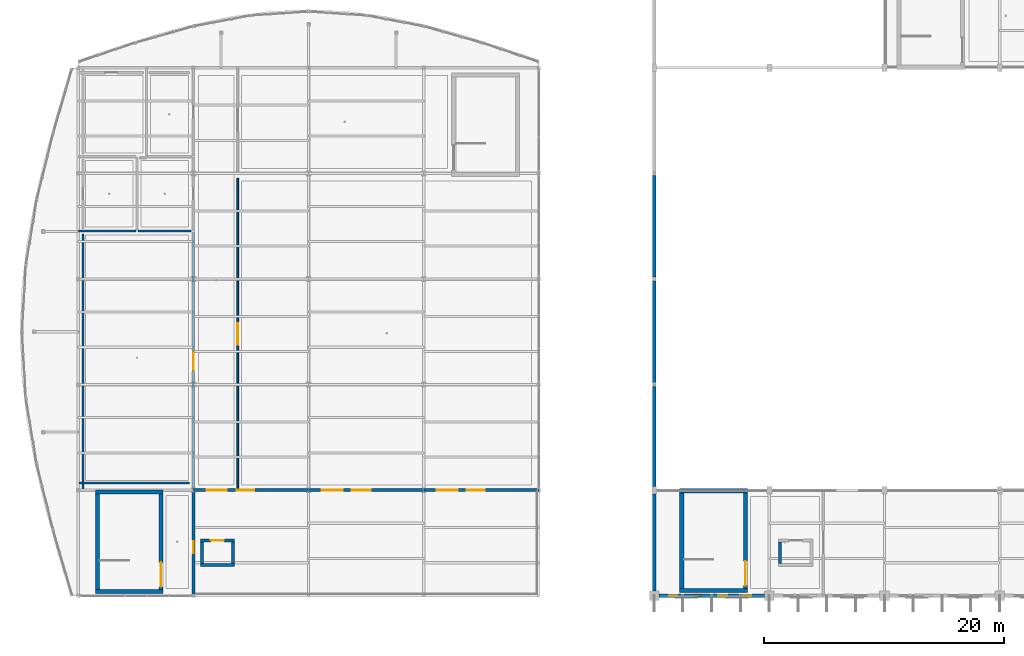
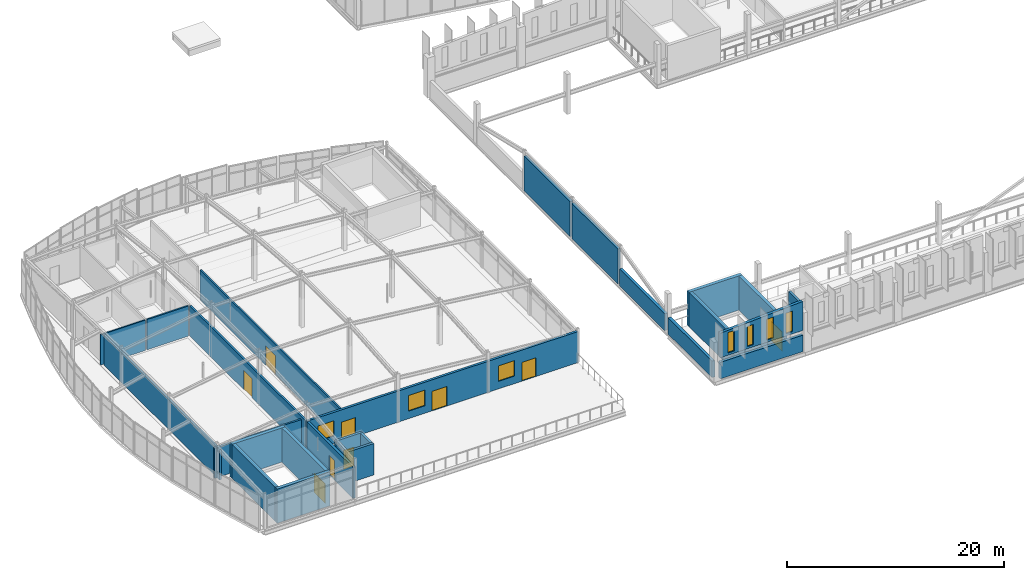
# One storey, part 90 of 114: 29 walls, 9 doors, 7 windows, 16 openings.
"""IFC4 building model written with IfcOpenShell, lengths in metres."""

from ifc_helpers import new_model, si_unit, direction, frame, frame_2d, origin, place, context, subcontext, project, spatial, polyline, rectangle, outline, extrude, material, layer, layer_set, type_object, element, fill, save


model = new_model("IFC4")

# Units and contexts
model_context = context("Model", 3, precision=1e-05, world=origin(), true_north=direction((0.0, 1.0)))
body_context = subcontext(model_context, "Body", "Model", "MODEL_VIEW")
ifc_project = project(units=[si_unit("LENGTHUNIT", "METRE"), si_unit("AREAUNIT", "SQUARE_METRE"), si_unit("VOLUMEUNIT", "CUBIC_METRE"), si_unit("PLANEANGLEUNIT", "RADIAN"), si_unit("MASSUNIT", "GRAM", prefix="KILO")], contexts=[model_context])

# Site, building, storey
site_placement = place(None, origin())
site = spatial("IfcSite", under=ifc_project, at=site_placement, CompositionType="ELEMENT")
building_placement = place(site_placement, origin())
building = spatial("IfcBuilding", under=site, at=building_placement, Name="Chalmorin Arch Market", CompositionType="ELEMENT")
storey_placement = place(building_placement, frame((0.0, 0.0, 9.60009765625)))
storey = spatial("IfcBuildingStorey", under=building, at=storey_placement, Name="L02", CompositionType="ELEMENT", Elevation=9.60009765625)

# Walls
ifc_material_1 = material(Name="Concrete C40/50", Category="concrete")
ifc_layer_1 = layer(ifc_material_1, 0.35009765625)
ifc_layer_set_1 = layer_set([ifc_layer_1], Name="Concrete C40/50")
wall_type_1 = type_object("IfcWallType", Name="CoreShearWall-350", PredefinedType="SHEAR", material=ifc_layer_set_1)
for number, where, z_axis, x_axis, name in (
    (1, (7.074951171875, 6.35009765625, 0.0), (0.0, 0.0, 1.0), (-1.0, 0.0, 0.0), "CSW-350-013"),
    (2, (1.425048828125, 14.64990234375, 0.0), (0.0, 0.0, 1.0), (1.0, 0.0, 0.0), "CSW-350-014"),
):
    element("IfcWall", number, at=place(storey_placement, frame(where, z_axis=z_axis, x_axis=x_axis)), inside=storey, type_object=wall_type_1, Name=name, PredefinedType="SHEAR", context=body_context, shape_type="SweptSolid", body=[
        extrude(rectangle(XDim=5.64990234375, YDim=0.35009765625, at=frame_2d((2.824951171875, 0.0))), origin(), (0.0, 0.0, 1.0), 3.849853515625),
    ])
wall_1_placement = place(storey_placement, frame((1.60009765625, 6.52490234375, 0.0), z_axis=(0.0, 0.0, 1.0), x_axis=(0.0, 1.0, 0.0)))
element("IfcWall", 3, at=wall_1_placement, inside=storey, type_object=wall_type_1, Name="CSW-350-015", PredefinedType="SHEAR", context=body_context, shape_type="SweptSolid", body=[
    extrude(rectangle(XDim=7.9501953125, YDim=0.35009765625, at=frame_2d((3.97509765625, 0.0))), origin(), (0.0, 0.0, 1.0), 3.849853515625),
])

# Wall, opening, door
wall_2_placement = place(storey_placement, frame((6.89990234375, 14.47509765625, 0.0), z_axis=(0.0, 0.0, 1.0), x_axis=(0.0, -1.0, 0.0)))
wall_2 = element("IfcWall", 4, at=wall_2_placement, inside=storey, type_object=wall_type_1, Name="CSW-350-016", PredefinedType="SHEAR", context=body_context, shape_type="SweptSolid", body=[
    extrude(rectangle(XDim=7.9501953125, YDim=0.35009765625, at=frame_2d((3.97509765625, 0.0))), origin(), (0.0, 0.0, 1.0), 3.849853515625),
])
opening_1_placement = place(wall_2_placement, frame((5.679931640625, 0.0, 0.0)))
opening_1 = element("IfcOpeningElement", 5, at=opening_1_placement, cuts=wall_2, Name="Opening FD-SC1-L02", PredefinedType="OPENING", context=body_context, shape_type="SweptSolid", body=[
    extrude(rectangle(XDim=2.050048828125, YDim=2.14990234375, at=frame_2d((1.02490234375, 1.074951171875))), frame((0.0, 0.18505859375, 0.0), z_axis=(0.0, -1.0, 0.0), x_axis=(1.0, 0.0, 0.0)), (0.0, 0.0, 1.0), 0.3701171875),
])
ifc_material_2 = material(Name="Galvanised Steel", Category="steel")
door_type_1 = type_object("IfcDoorType", Name="DoubleFireExitDoor-2050x2150", OperationType="DOUBLE_DOOR_SINGLE_SWING", PredefinedType="DOOR", material=ifc_material_2)
door_1_placement = place(opening_1_placement, origin())
door_1 = element("IfcDoor", 6, at=door_1_placement, inside=storey, type_object=door_type_1, Name="FD-SC1-L02", OperationType="DOUBLE_DOOR_SINGLE_SWING", OverallHeight=2.14990234375, OverallWidth=2.050048828125, PredefinedType="DOOR", context=body_context, shape_type="SweptSolid", body=[
    extrude(rectangle(XDim=2.050048828125, YDim=2.14990234375, at=frame_2d((1.02490234375, 1.074951171875))), frame((0.0, 0.02490234375, 0.0), z_axis=(0.0, -1.0, 0.0), x_axis=(1.0, 0.0, 0.0)), (0.0, 0.0, 1.0), 0.050048828125),
])
fill(opening_1, door_1)

# Walls
for number, where, z_axis, x_axis, name in (
    (7, (55.77490234375, 6.449951171875, 0.0), (0.0, 0.0, 1.0), (-1.0, 0.0, 0.0), "CSW-350-045"),
    (8, (50.125, 14.75, 0.0), (0.0, 0.0, 1.0), (1.0, 0.0, 0.0), "CSW-350-046"),
):
    element("IfcWall", number, at=place(storey_placement, frame(where, z_axis=z_axis, x_axis=x_axis)), inside=storey, type_object=wall_type_1, Name=name, PredefinedType="SHEAR", context=body_context, shape_type="SweptSolid", body=[
        extrude(rectangle(XDim=5.64990234375, YDim=0.35009765625, at=frame_2d((2.824951171875, 0.0))), origin(), (0.0, 0.0, 1.0), 3.849853515625),
    ])
wall_3_placement = place(storey_placement, frame((50.300048828125, 6.625, 0.0), z_axis=(0.0, 0.0, 1.0), x_axis=(0.0, 1.0, 0.0)))
element("IfcWall", 9, at=wall_3_placement, inside=storey, type_object=wall_type_1, Name="CSW-350-047", PredefinedType="SHEAR", context=body_context, shape_type="SweptSolid", body=[
    extrude(rectangle(XDim=7.949951171875, YDim=0.35009765625, at=frame_2d((3.97509765625, 0.0))), origin(), (0.0, 0.0, 1.0), 3.849853515625),
])

# Wall, opening, door
wall_4_placement = place(storey_placement, frame((55.60009765625, 14.574951171875, 0.0), z_axis=(0.0, 0.0, 1.0), x_axis=(0.0, -1.0, 0.0)))
wall_4 = element("IfcWall", 10, at=wall_4_placement, inside=storey, type_object=wall_type_1, Name="CSW-350-048", PredefinedType="SHEAR", context=body_context, shape_type="SweptSolid", body=[
    extrude(rectangle(XDim=7.949951171875, YDim=0.35009765625, at=frame_2d((3.97509765625, 0.0))), origin(), (0.0, 0.0, 1.0), 3.849853515625),
])
opening_2_placement = place(wall_4_placement, frame((5.679931640625, 0.0, 0.0)))
opening_2 = element("IfcOpeningElement", 11, at=opening_2_placement, cuts=wall_4, Name="Opening FD-SC3-L02", PredefinedType="OPENING", context=body_context, shape_type="SweptSolid", body=[
    extrude(rectangle(XDim=2.050048828125, YDim=2.14990234375, at=frame_2d((1.02490234375, 1.074951171875))), frame((0.0, 0.18505859375, 0.0), z_axis=(0.0, -1.0, 0.0), x_axis=(1.0, 0.0, 0.0)), (0.0, 0.0, 1.0), 0.3701171875),
])
door_2_placement = place(opening_2_placement, origin())
door_2 = element("IfcDoor", 12, at=door_2_placement, inside=storey, type_object=door_type_1, Name="FD-SC3-L02", OperationType="DOUBLE_DOOR_SINGLE_SWING", OverallHeight=2.14990234375, OverallWidth=2.050048828125, PredefinedType="DOOR", context=body_context, shape_type="SweptSolid", body=[
    extrude(rectangle(XDim=2.050048828125, YDim=2.14990234375, at=frame_2d((1.02490234375, 1.074951171875))), frame((0.0, 0.02490234375, 0.0), z_axis=(0.0, -1.0, 0.0), x_axis=(1.0, 0.0, 0.0)), (0.0, 0.0, 1.0), 0.050048828125),
])
fill(opening_2, door_2)

ifc_material_3 = material(Name="Gypsum Board Partition")
ifc_layer_2 = layer(ifc_material_3, 0.159912109375)
ifc_layer_set_2 = layer_set([ifc_layer_2], Name="Gypsum Board Partition")
wall_type_2 = type_object("IfcWallType", Name="CorridorRatedPartition-160", PredefinedType="PARTITIONING", material=ifc_layer_set_2)
wall_5_placement = place(storey_placement, frame((13.300048828125, 14.85009765625, 0.0), z_axis=(0.0, 0.0, 1.0), x_axis=(0.0, 1.0, 0.0)))
wall_5 = element("IfcWall", 13, at=wall_5_placement, inside=storey, type_object=wall_type_2, Name="CRP-160-538", PredefinedType="PARTITIONING", context=body_context, shape_type="SweptSolid", body=[
    extrude(rectangle(XDim=25.949951171875, YDim=0.159912109375, at=frame_2d((12.97509765625, 0.0))), origin(), (0.0, 0.0, 1.0), 3.39990234375),
])
opening_3_placement = place(wall_5_placement, frame((12.074951171875, 0.0, 0.0)))
opening_3 = element("IfcOpeningElement", 14, at=opening_3_placement, cuts=wall_5, Name="Opening ID-176", PredefinedType="OPENING", context=body_context, shape_type="SweptSolid", body=[
    extrude(rectangle(XDim=1.800048828125, YDim=2.14990234375, at=frame_2d((0.89990234375, 1.074951171875))), frame((0.0, 0.08984375, 0.0), z_axis=(0.0, -1.0, 0.0), x_axis=(1.0, 0.0, 0.0)), (0.0, 0.0, 1.0), 0.179931640625),
])
door_type_2 = type_object("IfcDoorType", Name="CorridorFireDoubleDoor-1800x2150", OperationType="DOUBLE_DOOR_SINGLE_SWING", PredefinedType="DOOR", material=ifc_material_2)
door_3_placement = place(opening_3_placement, origin())
door_3 = element("IfcDoor", 15, at=door_3_placement, inside=storey, type_object=door_type_2, Name="ID-176", OperationType="DOUBLE_DOOR_SINGLE_SWING", OverallHeight=2.14990234375, OverallWidth=1.800048828125, PredefinedType="DOOR", context=body_context, shape_type="SweptSolid", body=[
    extrude(rectangle(XDim=1.800048828125, YDim=2.14990234375, at=frame_2d((0.89990234375, 1.074951171875))), frame((0.0, 0.02490234375, 0.0), z_axis=(0.0, -1.0, 0.0), x_axis=(1.0, 0.0, 0.0)), (0.0, 0.0, 1.0), 0.050048828125),
])
fill(opening_3, door_3)

# Wall
ifc_material_4 = material(Name="Concrete C30/37", Category="concrete")
ifc_layer_3 = layer(ifc_material_4, 0.300048828125)
ifc_layer_set_3 = layer_set([ifc_layer_3], Name="Concrete C30/37")
wall_type_3 = type_object("IfcWallType", Name="ExteriorBackupWall-300", PredefinedType="STANDARD", material=ifc_layer_set_3)
wall_6_placement = place(storey_placement, frame((48.39990234375, 6.0, 0.0), z_axis=(0.0, 0.0, 1.0), x_axis=(1.0, 0.0, 0.0)))
element("IfcWall", 16, at=wall_6_placement, inside=storey, type_object=wall_type_3, Name="EBW-300-074", PredefinedType="STANDARD", context=body_context, shape_type="SweptSolid", body=[
    extrude(rectangle(XDim=8.800048828125, YDim=0.300048828125, at=frame_2d((4.39990234375, 0.0))), origin(), (0.0, 0.0, 1.0), 1.849853515625),
])

# Wall, openings, windows
wall_7_placement = place(storey_placement, frame((48.39990234375, 6.0, 2.3798828125), z_axis=(0.0, 0.0, 1.0), x_axis=(1.0, 0.0, 0.0)))
wall_7 = element("IfcWall", 17, at=wall_7_placement, inside=storey, type_object=wall_type_3, Name="EBW-300-075", PredefinedType="STANDARD", context=body_context, shape_type="SweptSolid", body=[
    extrude(outline(polyline([(0.0, 0.0), (8.800048828125, 0.0), (8.800048828125, 3.2666015625), (0.0, 2.75), (0.0, 0.0)])), frame((0.0, 0.14990234375, 0.0), z_axis=(0.0, -1.0, 0.0), x_axis=(1.0, 0.0, 0.0)), (0.0, 0.0, 1.0), 0.300048828125),
])
opening_4_placement = place(wall_7_placement, frame((0.85009765625, 0.0, 0.25)))
opening_4 = element("IfcOpeningElement", 18, at=opening_4_placement, cuts=wall_7, Name="Opening WN-002", PredefinedType="OPENING", context=body_context, shape_type="SweptSolid", body=[
    extrude(rectangle(XDim=0.669921875, YDim=2.2900390625, at=frame_2d((0.3349609375, 1.14501953125))), frame((0.0, 0.159912109375, 0.0), z_axis=(0.0, -1.0, 0.0), x_axis=(1.0, 0.0, 0.0)), (0.0, 0.0, 1.0), 0.320068359375),
])
opening_5_placement = place(wall_7_placement, frame((2.89990234375, 0.0, 0.25)))
opening_5 = element("IfcOpeningElement", 19, at=opening_5_placement, cuts=wall_7, Name="Opening WN-003", PredefinedType="OPENING", context=body_context, shape_type="SweptSolid", body=[
    extrude(rectangle(XDim=0.6298828125, YDim=2.260009765625, at=frame_2d((0.31494140625, 1.1298828125))), frame((0.0, 0.159912109375, 0.0), z_axis=(0.0, -1.0, 0.0), x_axis=(1.0, 0.0, 0.0)), (0.0, 0.0, 1.0), 0.320068359375),
])
opening_6_placement = place(wall_7_placement, frame((4.949951171875, 0.0, 0.25)))
opening_6 = element("IfcOpeningElement", 20, at=opening_6_placement, cuts=wall_7, Name="Opening WN-004", PredefinedType="OPENING", context=body_context, shape_type="SweptSolid", body=[
    extrude(rectangle(XDim=0.75, YDim=2.35009765625, at=frame_2d((0.375, 1.175048828125))), frame((0.0, 0.159912109375, 0.0), z_axis=(0.0, -1.0, 0.0), x_axis=(1.0, 0.0, 0.0)), (0.0, 0.0, 1.0), 0.320068359375),
])
opening_7_placement = place(wall_7_placement, frame((7.0, 0.0, 0.25)))
opening_7 = element("IfcOpeningElement", 21, at=opening_7_placement, cuts=wall_7, Name="Opening WN-005", PredefinedType="OPENING", context=body_context, shape_type="SweptSolid", body=[
    extrude(rectangle(XDim=0.7099609375, YDim=2.320068359375, at=frame_2d((0.35498046875, 1.16015625))), frame((0.0, 0.159912109375, 0.0), z_axis=(0.0, -1.0, 0.0), x_axis=(1.0, 0.0, 0.0)), (0.0, 0.0, 1.0), 0.320068359375),
])
ifc_material_5 = material(Name="Low-E Tempered Glass", Category="glass")
window_type_1 = type_object("IfcWindowType", Name="ClerestoryLancetWindow-750x4000", PartitioningType="SINGLE_PANEL", PredefinedType="WINDOW", material=ifc_material_5)
window_1_placement = place(opening_6_placement, origin())
window_1 = element("IfcWindow", 22, at=window_1_placement, inside=storey, type_object=window_type_1, Name="WN-004", OverallHeight=2.35009765625, OverallWidth=0.75, PartitioningType="SINGLE_PANEL", PredefinedType="WINDOW", context=body_context, shape_type="SweptSolid", body=[
    extrude(rectangle(XDim=0.75, YDim=2.35009765625, at=frame_2d((0.375, 1.175048828125))), frame((0.0, 0.030029296875, 0.0), z_axis=(0.0, -1.0, 0.0), x_axis=(1.0, 0.0, 0.0)), (0.0, 0.0, 1.0), 0.06005859375),
])
fill(opening_6, window_1)
window_type_2 = type_object("IfcWindowType", Name="ClerestoryLancetWindow-750x4000-630x2260", PartitioningType="SINGLE_PANEL", PredefinedType="WINDOW", material=ifc_material_5)
window_2_placement = place(opening_5_placement, origin())
window_2 = element("IfcWindow", 23, at=window_2_placement, inside=storey, type_object=window_type_2, Name="WN-003", OverallHeight=2.260009765625, OverallWidth=0.6298828125, PartitioningType="SINGLE_PANEL", PredefinedType="WINDOW", context=body_context, shape_type="SweptSolid", body=[
    extrude(rectangle(XDim=0.6298828125, YDim=2.260009765625, at=frame_2d((0.31494140625, 1.1298828125))), frame((0.0, 0.030029296875, 0.0), z_axis=(0.0, -1.0, 0.0), x_axis=(1.0, 0.0, 0.0)), (0.0, 0.0, 1.0), 0.06005859375),
])
fill(opening_5, window_2)
window_type_3 = type_object("IfcWindowType", Name="ClerestoryLancetWindow-750x4000-670x2290", PartitioningType="SINGLE_PANEL", PredefinedType="WINDOW", material=ifc_material_5)
window_3_placement = place(opening_4_placement, origin())
window_3 = element("IfcWindow", 24, at=window_3_placement, inside=storey, type_object=window_type_3, Name="WN-002", OverallHeight=2.2900390625, OverallWidth=0.669921875, PartitioningType="SINGLE_PANEL", PredefinedType="WINDOW", context=body_context, shape_type="SweptSolid", body=[
    extrude(rectangle(XDim=0.669921875, YDim=2.2900390625, at=frame_2d((0.3349609375, 1.14501953125))), frame((0.0, 0.030029296875, 0.0), z_axis=(0.0, -1.0, 0.0), x_axis=(1.0, 0.0, 0.0)), (0.0, 0.0, 1.0), 0.06005859375),
])
fill(opening_4, window_3)
window_type_4 = type_object("IfcWindowType", Name="ClerestoryLancetWindow-750x4000-710x2320", PartitioningType="SINGLE_PANEL", PredefinedType="WINDOW", material=ifc_material_5)
window_4_placement = place(opening_7_placement, origin())
window_4 = element("IfcWindow", 25, at=window_4_placement, inside=storey, type_object=window_type_4, Name="WN-005", OverallHeight=2.320068359375, OverallWidth=0.7099609375, PartitioningType="SINGLE_PANEL", PredefinedType="WINDOW", context=body_context, shape_type="SweptSolid", body=[
    extrude(rectangle(XDim=0.7099609375, YDim=2.320068359375, at=frame_2d((0.35498046875, 1.16015625))), frame((0.0, 0.030029296875, 0.0), z_axis=(0.0, -1.0, 0.0), x_axis=(1.0, 0.0, 0.0)), (0.0, 0.0, 1.0), 0.06005859375),
])
fill(opening_7, window_4)

# Walls
wall_8_placement = place(storey_placement, frame((48.0, 6.39990234375, 0.0), z_axis=(0.0, 0.0, 1.0), x_axis=(0.0, 1.0, 0.0)))
element("IfcWall", 26, at=wall_8_placement, inside=storey, type_object=wall_type_3, Name="EBW-300-113", PredefinedType="STANDARD", context=body_context, shape_type="SweptSolid", body=[
    extrude(rectangle(XDim=8.10009765625, YDim=0.300048828125, at=frame_2d((4.050048828125, 0.0))), origin(), (0.0, 0.0, 1.0), 1.849853515625),
])
wall_9_placement = place(storey_placement, frame((48.0, 15.10009765625, 0.0), z_axis=(0.0, 0.0, 1.0), x_axis=(0.0, 1.0, 0.0)))
element("IfcWall", 27, at=wall_9_placement, inside=storey, type_object=wall_type_3, Name="EBW-300-115", PredefinedType="STANDARD", context=body_context, shape_type="SweptSolid", body=[
    extrude(rectangle(XDim=8.347412109375, YDim=0.300048828125, at=frame_2d((4.173828125, 0.0))), origin(), (0.0, 0.0, 1.0), 1.906494140625),
])
for number, where, z_axis, x_axis, name in (
    (28, (48.0, 23.75244140625, 0.0), (0.0, 0.0, 1.0), (0.0, 1.0, 0.0), "EBW-300-117"),
    (29, (48.0, 32.552490234375, 0.0), (0.0, 0.0, 1.0), (0.0, 1.0, 0.0), "EBW-300-119"),
):
    element("IfcWall", number, at=place(storey_placement, frame(where, z_axis=z_axis, x_axis=x_axis)), inside=storey, type_object=wall_type_3, Name=name, PredefinedType="STANDARD", context=body_context, shape_type="SweptSolid", body=[
        extrude(rectangle(XDim=8.4951171875, YDim=0.300048828125, at=frame_2d((4.24755859375, 0.0))), origin(), (0.0, 0.0, 1.0), 3.949951171875),
    ])

# Wall, opening, door
ifc_layer_4 = layer(ifc_material_4, 0.199951171875)
ifc_layer_set_4 = layer_set([ifc_layer_4], Name="Concrete C30/37")
wall_type_4 = type_object("IfcWallType", Name="FireCompartmentWall-200", PredefinedType="PARTITIONING", material=ifc_layer_set_4)
wall_10_placement = place(storey_placement, frame((9.60009765625, 14.85009765625, 0.0), z_axis=(0.0, 0.0, 1.0), x_axis=(0.0, 1.0, 0.0)))
wall_10 = element("IfcWall", 30, at=wall_10_placement, inside=storey, type_object=wall_type_4, Name="FCW-200-540", PredefinedType="PARTITIONING", context=body_context, shape_type="SweptSolid", body=[
    extrude(rectangle(XDim=21.449951171875, YDim=0.199951171875, at=frame_2d((10.72509765625, 0.0))), origin(), (0.0, 0.0, 1.0), 3.39990234375),
])
opening_8_placement = place(wall_10_placement, frame((9.925048828125, 0.0, 0.0)))
opening_8 = element("IfcOpeningElement", 31, at=opening_8_placement, cuts=wall_10, Name="Opening ID-178", PredefinedType="OPENING", context=body_context, shape_type="SweptSolid", body=[
    extrude(rectangle(XDim=1.60009765625, YDim=2.14990234375, at=frame_2d((0.800048828125, 1.074951171875))), frame((0.0, 0.10986328125, 0.0), z_axis=(0.0, -1.0, 0.0), x_axis=(1.0, 0.0, 0.0)), (0.0, 0.0, 1.0), 0.219970703125),
])
ifc_material_6 = material(Name="Stainless Steel 316", Category="steel")
door_type_3 = type_object("IfcDoorType", Name="TeachingKitchenDoubleDoor-1600x2150", OperationType="DOUBLE_DOOR_SINGLE_SWING", PredefinedType="DOOR", material=ifc_material_6)
door_4_placement = place(opening_8_placement, origin())
door_4 = element("IfcDoor", 32, at=door_4_placement, inside=storey, type_object=door_type_3, Name="ID-178", OperationType="DOUBLE_DOOR_SINGLE_SWING", OverallHeight=2.14990234375, OverallWidth=1.60009765625, PredefinedType="DOOR", context=body_context, shape_type="SweptSolid", body=[
    extrude(rectangle(XDim=1.60009765625, YDim=2.14990234375, at=frame_2d((0.800048828125, 1.074951171875))), frame((0.0, 0.02490234375, 0.0), z_axis=(0.0, -1.0, 0.0), x_axis=(1.0, 0.0, 0.0)), (0.0, 0.0, 1.0), 0.050048828125),
])
fill(opening_8, door_4)

# Walls
wall_11_placement = place(storey_placement, frame((0.050048828125, 15.39990234375, 0.0), z_axis=(0.0, 0.0, 1.0), x_axis=(1.0, 0.0, 0.0)))
element("IfcWall", 33, at=wall_11_placement, inside=storey, type_object=wall_type_4, Name="FCW-200-565", PredefinedType="PARTITIONING", context=body_context, shape_type="SweptSolid", body=[
    extrude(rectangle(XDim=9.2099609375, YDim=0.199951171875, at=frame_2d((4.60498046875, 0.0))), origin(), (0.0, 0.0, 1.0), 3.39990234375),
])
wall_12_placement = place(storey_placement, frame((0.39990234375, 14.85009765625, 0.0), z_axis=(0.0, 0.0, 1.0), x_axis=(0.0, 1.0, 0.0)))
element("IfcWall", 34, at=wall_12_placement, inside=storey, type_object=wall_type_4, Name="FCW-200-566", PredefinedType="PARTITIONING", context=body_context, shape_type="SweptSolid", body=[
    extrude(rectangle(XDim=21.309814453125, YDim=0.199951171875, at=frame_2d((10.65478515625, 0.0))), origin(), (0.0, 0.0, 1.0), 3.39990234375),
])

# Wall, openings, window, door
ifc_layer_5 = layer(ifc_material_4, 0.25)
ifc_layer_set_5 = layer_set([ifc_layer_5], Name="Concrete C30/37")
wall_type_5 = type_object("IfcWallType", Name="InsulatedMasonryBackupWall-250", PredefinedType="STANDARD", material=ifc_layer_set_5)
wall_13_placement = place(storey_placement, frame((9.60009765625, 14.800048828125, 0.0), z_axis=(0.0, 0.0, 1.0), x_axis=(1.0, 0.0, 0.0)))
wall_13 = element("IfcWall", 35, at=wall_13_placement, inside=storey, type_object=wall_type_5, Name="EBW-250-167", PredefinedType="STANDARD", context=body_context, shape_type="SweptSolid", body=[
    extrude(rectangle(XDim=9.599853515625, YDim=0.25, at=frame_2d((4.7998046875, 0.0))), origin(), (0.0, 0.0, 1.0), 3.5),
])
opening_9_placement = place(wall_13_placement, frame((3.60009765625, 0.0, 0.0)))
opening_9 = element("IfcOpeningElement", 36, at=opening_9_placement, cuts=wall_13, Name="Opening ED-031", PredefinedType="OPENING", context=body_context, shape_type="SweptSolid", body=[
    extrude(rectangle(XDim=1.47998046875, YDim=2.110107421875, at=frame_2d((0.739990234375, 1.05517578125))), frame((0.0, 0.135009765625, 0.0), z_axis=(0.0, -1.0, 0.0), x_axis=(1.0, 0.0, 0.0)), (0.0, 0.0, 1.0), 0.27001953125),
])
opening_10_placement = place(wall_13_placement, frame((1.10009765625, 0.0, 0.85009765625)))
opening_10 = element("IfcOpeningElement", 37, at=opening_10_placement, cuts=wall_13, Name="Opening WN-095", PredefinedType="OPENING", context=body_context, shape_type="SweptSolid", body=[
    extrude(rectangle(XDim=1.679931640625, YDim=1.7099609375, at=frame_2d((0.83984375, 0.85498046875))), frame((0.0, 0.135009765625, 0.0), z_axis=(0.0, -1.0, 0.0), x_axis=(1.0, 0.0, 0.0)), (0.0, 0.0, 1.0), 0.27001953125),
])
window_type_5 = type_object("IfcWindowType", Name="CulinaryStudioWindow-1800x1800-1680x1710", PartitioningType="SINGLE_PANEL", PredefinedType="WINDOW", material=ifc_material_5)
window_5_placement = place(opening_10_placement, origin())
window_5 = element("IfcWindow", 38, at=window_5_placement, inside=storey, type_object=window_type_5, Name="WN-095", OverallHeight=1.7099609375, OverallWidth=1.679931640625, PartitioningType="SINGLE_PANEL", PredefinedType="WINDOW", context=body_context, shape_type="SweptSolid", body=[
    extrude(rectangle(XDim=1.679931640625, YDim=1.7099609375, at=frame_2d((0.83984375, 0.85498046875))), frame((0.0, 0.030029296875, 0.0), z_axis=(0.0, -1.0, 0.0), x_axis=(1.0, 0.0, 0.0)), (0.0, 0.0, 1.0), 0.06005859375),
])
fill(opening_10, window_5)
ifc_material_7 = material(Name="Aluminium 6063-T6", Category="aluminium")
door_type_4 = type_object("IfcDoorType", Name="TerraceGlazedDoubleDoor-1600x2200-1480x2110", OperationType="DOUBLE_DOOR_SINGLE_SWING", PredefinedType="DOOR", material=ifc_material_7)
door_5_placement = place(opening_9_placement, origin())
door_5 = element("IfcDoor", 39, at=door_5_placement, inside=storey, type_object=door_type_4, Name="ED-031", OperationType="DOUBLE_DOOR_SINGLE_SWING", OverallHeight=2.110107421875, OverallWidth=1.47998046875, PredefinedType="DOOR", context=body_context, shape_type="SweptSolid", body=[
    extrude(rectangle(XDim=1.47998046875, YDim=2.110107421875, at=frame_2d((0.739990234375, 1.05517578125))), frame((0.0, 0.02490234375, 0.0), z_axis=(0.0, -1.0, 0.0), x_axis=(1.0, 0.0, 0.0)), (0.0, 0.0, 1.0), 0.050048828125),
])
fill(opening_9, door_5)

wall_14_placement = place(storey_placement, frame((19.199951171875, 14.800048828125, 0.0), z_axis=(0.0, 0.0, 1.0), x_axis=(1.0, 0.0, 0.0)))
wall_14 = element("IfcWall", 40, at=wall_14_placement, inside=storey, type_object=wall_type_5, Name="EBW-250-169", PredefinedType="STANDARD", context=body_context, shape_type="SweptSolid", body=[
    extrude(rectangle(XDim=9.60009765625, YDim=0.25, at=frame_2d((4.800048828125, 0.0))), origin(), (0.0, 0.0, 1.0), 3.5),
])
opening_11_placement = place(wall_14_placement, frame((3.60009765625, 0.0, 0.0)))
opening_11 = element("IfcOpeningElement", 41, at=opening_11_placement, cuts=wall_14, Name="Opening ED-032", PredefinedType="OPENING", context=body_context, shape_type="SweptSolid", body=[
    extrude(rectangle(XDim=1.60009765625, YDim=2.199951171875, at=frame_2d((0.800048828125, 1.10009765625))), frame((0.0, 0.135009765625, 0.0), z_axis=(0.0, -1.0, 0.0), x_axis=(1.0, 0.0, 0.0)), (0.0, 0.0, 1.0), 0.27001953125),
])
opening_12_placement = place(wall_14_placement, frame((1.10009765625, 0.0, 0.85009765625)))
opening_12 = element("IfcOpeningElement", 42, at=opening_12_placement, cuts=wall_14, Name="Opening WN-097", PredefinedType="OPENING", context=body_context, shape_type="SweptSolid", body=[
    extrude(rectangle(XDim=1.760009765625, YDim=1.77001953125, at=frame_2d((0.8798828125, 0.885009765625))), frame((0.0, 0.135009765625, 0.0), z_axis=(0.0, -1.0, 0.0), x_axis=(1.0, 0.0, 0.0)), (0.0, 0.0, 1.0), 0.27001953125),
])
window_type_6 = type_object("IfcWindowType", Name="CulinaryStudioWindow-1800x1800-1760x1770", PartitioningType="SINGLE_PANEL", PredefinedType="WINDOW", material=ifc_material_5)
window_6_placement = place(opening_12_placement, origin())
window_6 = element("IfcWindow", 43, at=window_6_placement, inside=storey, type_object=window_type_6, Name="WN-097", OverallHeight=1.77001953125, OverallWidth=1.760009765625, PartitioningType="SINGLE_PANEL", PredefinedType="WINDOW", context=body_context, shape_type="SweptSolid", body=[
    extrude(rectangle(XDim=1.760009765625, YDim=1.77001953125, at=frame_2d((0.8798828125, 0.885009765625))), frame((0.0, 0.030029296875, 0.0), z_axis=(0.0, -1.0, 0.0), x_axis=(1.0, 0.0, 0.0)), (0.0, 0.0, 1.0), 0.06005859375),
])
fill(opening_12, window_6)
door_type_5 = type_object("IfcDoorType", Name="TerraceGlazedDoubleDoor-1600x2200", OperationType="DOUBLE_DOOR_SINGLE_SWING", PredefinedType="DOOR", material=ifc_material_7)
door_6_placement = place(opening_11_placement, origin())
door_6 = element("IfcDoor", 44, at=door_6_placement, inside=storey, type_object=door_type_5, Name="ED-032", OperationType="DOUBLE_DOOR_SINGLE_SWING", OverallHeight=2.199951171875, OverallWidth=1.60009765625, PredefinedType="DOOR", context=body_context, shape_type="SweptSolid", body=[
    extrude(rectangle(XDim=1.60009765625, YDim=2.199951171875, at=frame_2d((0.800048828125, 1.10009765625))), frame((0.0, 0.02490234375, 0.0), z_axis=(0.0, -1.0, 0.0), x_axis=(1.0, 0.0, 0.0)), (0.0, 0.0, 1.0), 0.050048828125),
])
fill(opening_11, door_6)

wall_15_placement = place(storey_placement, frame((28.800048828125, 14.800048828125, 0.0), z_axis=(0.0, 0.0, 1.0), x_axis=(1.0, 0.0, 0.0)))
wall_15 = element("IfcWall", 45, at=wall_15_placement, inside=storey, type_object=wall_type_5, Name="EBW-250-171", PredefinedType="STANDARD", context=body_context, shape_type="SweptSolid", body=[
    extrude(rectangle(XDim=9.599853515625, YDim=0.25, at=frame_2d((4.7998046875, 0.0))), origin(), (0.0, 0.0, 1.0), 3.5),
])
opening_13_placement = place(wall_15_placement, frame((3.60009765625, 0.0, 0.0)))
opening_13 = element("IfcOpeningElement", 46, at=opening_13_placement, cuts=wall_15, Name="Opening ED-035", PredefinedType="OPENING", context=body_context, shape_type="SweptSolid", body=[
    extrude(rectangle(XDim=1.47998046875, YDim=2.110107421875, at=frame_2d((0.739990234375, 1.05517578125))), frame((0.0, 0.135009765625, 0.0), z_axis=(0.0, -1.0, 0.0), x_axis=(1.0, 0.0, 0.0)), (0.0, 0.0, 1.0), 0.27001953125),
])
opening_14_placement = place(wall_15_placement, frame((1.10009765625, 0.0, 0.85009765625)))
opening_14 = element("IfcOpeningElement", 47, at=opening_14_placement, cuts=wall_15, Name="Opening WN-098", PredefinedType="OPENING", context=body_context, shape_type="SweptSolid", body=[
    extrude(rectangle(XDim=1.719970703125, YDim=1.739990234375, at=frame_2d((0.85986328125, 0.8701171875))), frame((0.0, 0.135009765625, 0.0), z_axis=(0.0, -1.0, 0.0), x_axis=(1.0, 0.0, 0.0)), (0.0, 0.0, 1.0), 0.27001953125),
])
window_type_7 = type_object("IfcWindowType", Name="CulinaryStudioWindow-1800x1800-1720x1740", PartitioningType="SINGLE_PANEL", PredefinedType="WINDOW", material=ifc_material_5)
window_7_placement = place(opening_14_placement, origin())
window_7 = element("IfcWindow", 48, at=window_7_placement, inside=storey, type_object=window_type_7, Name="WN-098", OverallHeight=1.739990234375, OverallWidth=1.719970703125, PartitioningType="SINGLE_PANEL", PredefinedType="WINDOW", context=body_context, shape_type="SweptSolid", body=[
    extrude(rectangle(XDim=1.719970703125, YDim=1.739990234375, at=frame_2d((0.85986328125, 0.8701171875))), frame((0.0, 0.030029296875, 0.0), z_axis=(0.0, -1.0, 0.0), x_axis=(1.0, 0.0, 0.0)), (0.0, 0.0, 1.0), 0.06005859375),
])
fill(opening_14, window_7)
door_7_placement = place(opening_13_placement, origin())
door_7 = element("IfcDoor", 49, at=door_7_placement, inside=storey, type_object=door_type_4, Name="ED-035", OperationType="DOUBLE_DOOR_SINGLE_SWING", OverallHeight=2.110107421875, OverallWidth=1.47998046875, PredefinedType="DOOR", context=body_context, shape_type="SweptSolid", body=[
    extrude(rectangle(XDim=1.47998046875, YDim=2.110107421875, at=frame_2d((0.739990234375, 1.05517578125))), frame((0.0, 0.02490234375, 0.0), z_axis=(0.0, -1.0, 0.0), x_axis=(1.0, 0.0, 0.0)), (0.0, 0.0, 1.0), 0.050048828125),
])
fill(opening_13, door_7)

# Wall, opening, door
wall_16_placement = place(storey_placement, frame((9.60009765625, 6.126953125, 0.0), z_axis=(0.0, 0.0, 1.0), x_axis=(0.0, 1.0, 0.0)))
wall_16 = element("IfcWall", 50, at=wall_16_placement, inside=storey, type_object=wall_type_5, Name="EBW-250-172", PredefinedType="STANDARD", context=body_context, shape_type="SweptSolid", body=[
    extrude(rectangle(XDim=8.4951171875, YDim=0.25, at=frame_2d((4.24755859375, 0.0))), origin(), (0.0, 0.0, 1.0), 3.5),
])
opening_15_placement = place(wall_16_placement, frame((3.39990234375, 0.0, 0.0)))
opening_15 = element("IfcOpeningElement", 51, at=opening_15_placement, cuts=wall_16, Name="Opening ED-036", PredefinedType="OPENING", context=body_context, shape_type="SweptSolid", body=[
    extrude(rectangle(XDim=1.0, YDim=2.199951171875, at=frame_2d((0.5, 1.10009765625))), frame((0.0, 0.135009765625, 0.0), z_axis=(0.0, -1.0, 0.0), x_axis=(1.0, 0.0, 0.0)), (0.0, 0.0, 1.0), 0.27001953125),
])
door_type_6 = type_object("IfcDoorType", Name="TerraceGlazedSingleDoor-1000x2200", OperationType="SINGLE_SWING_LEFT", PredefinedType="DOOR", material=ifc_material_7)
door_8_placement = place(opening_15_placement, origin())
door_8 = element("IfcDoor", 52, at=door_8_placement, inside=storey, type_object=door_type_6, Name="ED-036", OperationType="SINGLE_SWING_LEFT", OverallHeight=2.199951171875, OverallWidth=1.0, PredefinedType="DOOR", context=body_context, shape_type="SweptSolid", body=[
    extrude(rectangle(XDim=1.0, YDim=2.199951171875, at=frame_2d((0.5, 1.10009765625))), frame((0.0, 0.02490234375, 0.0), z_axis=(0.0, -1.0, 0.0), x_axis=(1.0, 0.0, 0.0)), (0.0, 0.0, 1.0), 0.050048828125),
])
fill(opening_15, door_8)

# Wall
ifc_material_8 = material(Name="Concrete C35/45", Category="concrete")
ifc_layer_6 = layer(ifc_material_8, 0.25)
ifc_layer_set_6 = layer_set([ifc_layer_6], Name="Concrete C35/45")
wall_type_6 = type_object("IfcWallType", Name="ShaftEnclosureWall-250", PredefinedType="SOLIDWALL", material=ifc_layer_set_6)
wall_17_placement = place(storey_placement, frame((13.02490234375, 8.574951171875, 0.0), z_axis=(0.0, 0.0, 1.0), x_axis=(-1.0, 0.0, 0.0)))
element("IfcWall", 53, at=wall_17_placement, inside=storey, type_object=wall_type_6, Name="SEW-250-226", PredefinedType="SOLIDWALL", context=body_context, shape_type="SweptSolid", body=[
    extrude(rectangle(XDim=2.849853515625, YDim=0.25, at=frame_2d((1.4248046875, 0.0))), origin(), (0.0, 0.0, 1.0), 3.5498046875),
])

# Wall, opening, door
wall_18_placement = place(storey_placement, frame((10.175048828125, 10.625, 0.0), z_axis=(0.0, 0.0, 1.0), x_axis=(1.0, 0.0, 0.0)))
wall_18 = element("IfcWall", 54, at=wall_18_placement, inside=storey, type_object=wall_type_6, Name="SEW-250-227", PredefinedType="SOLIDWALL", context=body_context, shape_type="SweptSolid", body=[
    extrude(rectangle(XDim=2.849853515625, YDim=0.25, at=frame_2d((1.4248046875, 0.0))), origin(), (0.0, 0.0, 1.0), 3.5498046875),
])
opening_16_placement = place(wall_18_placement, frame((0.875, 0.0, 0.0)))
opening_16 = element("IfcOpeningElement", 55, at=opening_16_placement, cuts=wall_18, Name="Opening LD-LF-P1-L02", PredefinedType="OPENING", context=body_context, shape_type="SweptSolid", body=[
    extrude(rectangle(XDim=1.10009765625, YDim=2.14990234375, at=frame_2d((0.550048828125, 1.074951171875))), frame((0.0, 0.135009765625, 0.0), z_axis=(0.0, -1.0, 0.0), x_axis=(1.0, 0.0, 0.0)), (0.0, 0.0, 1.0), 0.27001953125),
])
door_type_7 = type_object("IfcDoorType", Name="LiftLandingSlidingDoor-1100x2150", OperationType="DOUBLE_DOOR_SLIDING", PredefinedType="DOOR", material=ifc_material_6)
door_9_placement = place(opening_16_placement, origin())
door_9 = element("IfcDoor", 56, at=door_9_placement, inside=storey, type_object=door_type_7, Name="LD-LF-P1-L02", OperationType="DOUBLE_DOOR_SLIDING", OverallHeight=2.14990234375, OverallWidth=1.10009765625, PredefinedType="DOOR", context=body_context, shape_type="SweptSolid", body=[
    extrude(rectangle(XDim=1.10009765625, YDim=2.14990234375, at=frame_2d((0.550048828125, 1.074951171875))), frame((0.0, 0.02490234375, 0.0), z_axis=(0.0, -1.0, 0.0), x_axis=(1.0, 0.0, 0.0)), (0.0, 0.0, 1.0), 0.050048828125),
])
fill(opening_16, door_9)

# Walls
for number, where, z_axis, x_axis, name in (
    (57, (10.300048828125, 8.699951171875, 0.0), (0.0, 0.0, 1.0), (0.0, 1.0, 0.0), "SEW-250-228"),
    (58, (12.89990234375, 10.5, 0.0), (0.0, 0.0, 1.0), (0.0, -1.0, 0.0), "SEW-250-229"),
    (59, (58.5, 8.699951171875, 0.0), (0.0, 0.0, 1.0), (0.0, 1.0, 0.0), "SEW-250-244"),
):
    element("IfcWall", number, at=place(storey_placement, frame(where, z_axis=z_axis, x_axis=x_axis)), inside=storey, type_object=wall_type_6, Name=name, PredefinedType="SOLIDWALL", context=body_context, shape_type="SweptSolid", body=[
        extrude(rectangle(XDim=1.800048828125, YDim=0.25, at=frame_2d((0.89990234375, 0.0))), origin(), (0.0, 0.0, 1.0), 3.5498046875),
    ])
ifc_layer_7 = layer(ifc_material_4, 0.14990234375)
ifc_layer_set_7 = layer_set([ifc_layer_7], Name="Concrete C30/37")
wall_type_7 = type_object("IfcWallType", Name="WetAreaTilePartition-150", PredefinedType="PARTITIONING", material=ifc_layer_set_7)
wall_19_placement = place(storey_placement, frame((0.050048828125, 36.39990234375, 0.0), z_axis=(0.0, 0.0, 1.0), x_axis=(1.0, 0.0, 0.0)))
element("IfcWall", 60, at=wall_19_placement, inside=storey, type_object=wall_type_7, Name="WTP-150-543", PredefinedType="PARTITIONING", context=body_context, shape_type="SweptSolid", body=[
    extrude(rectangle(XDim=4.75, YDim=0.14990234375, at=frame_2d((2.375, 0.0))), origin(), (0.0, 0.0, 1.0), 3.39990234375),
])
wall_20_placement = place(storey_placement, frame((5.0, 36.39990234375, 0.0), z_axis=(0.0, 0.0, 1.0), x_axis=(1.0, 0.0, 0.0)))
element("IfcWall", 61, at=wall_20_placement, inside=storey, type_object=wall_type_7, Name="WTP-150-544", PredefinedType="PARTITIONING", context=body_context, shape_type="SweptSolid", body=[
    extrude(rectangle(XDim=4.39990234375, YDim=0.14990234375, at=frame_2d((2.199951171875, 0.0))), origin(), (0.0, 0.0, 1.0), 3.39990234375),
])

save(model, "model.ifc")
